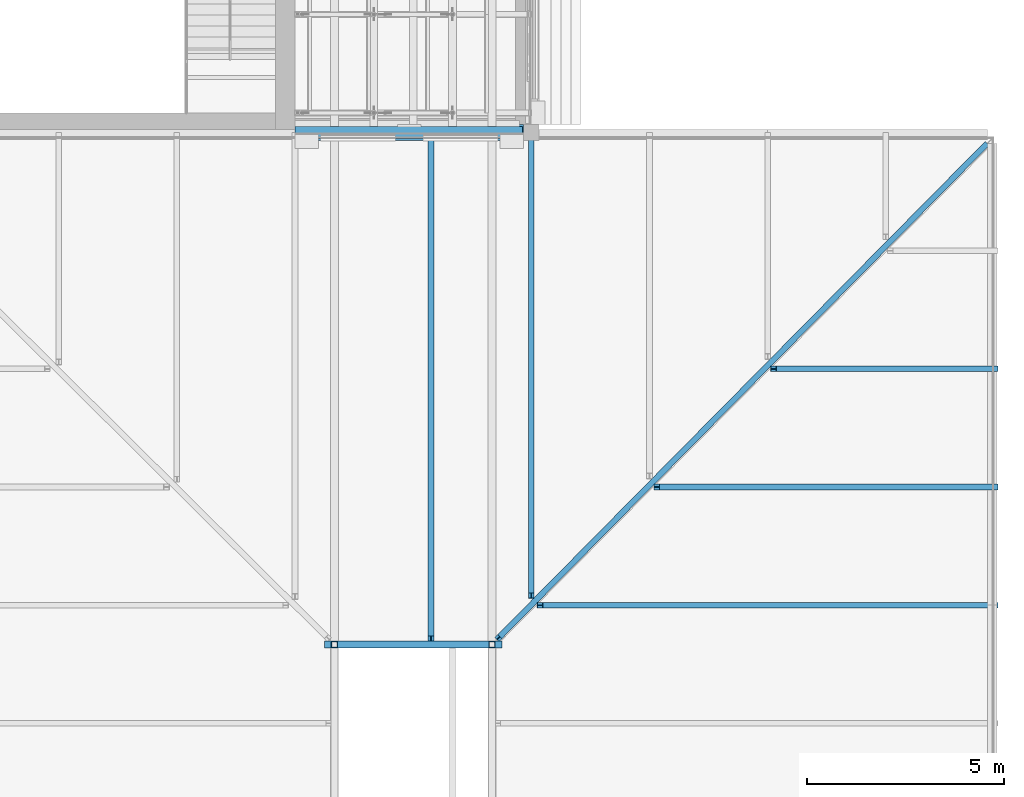
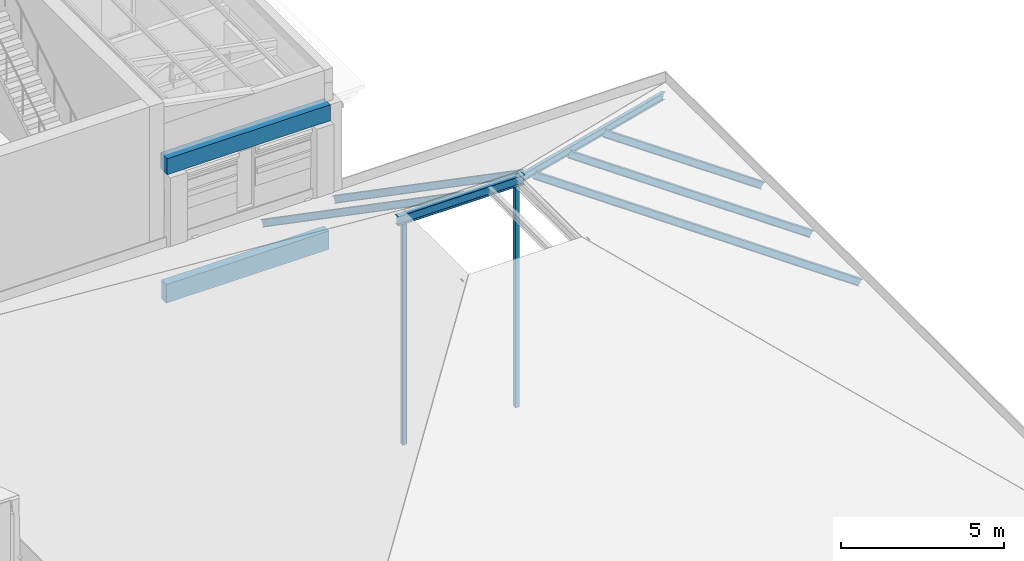
# One storey, part 23 of 118: 8 members, 3 beams.
"""IFC4 building model written with IfcOpenShell, lengths in metres."""

import ifcopenshell
import ifcopenshell.guid

model = None  # the IFC model being written
_history = None  # IfcOwnerHistory: only IFC2X3 demands one
_inside = {}  # id of a spatial element -> (the spatial element, [elements in it])
_under = {}  # id of a project, library or spatial element -> (it, [spatial elements below it])
_declared = {}  # id of a project -> (the project, [libraries it declares])
_typed = {}  # id of a type object -> (the type object, [elements of that type])
_made_of = {}  # id of a material, layer set ... -> (it, [elements and type objects made of it])


def new_model(schema):
    """Start an empty IFC model of exactly this schema.

    Asked for "IFC4X3", IfcOpenShell would pick the latest addendum, in which some entities
    have other attributes; the version numbers below select the first issue.
    IFC2X3 requires an IfcOwnerHistory on every rooted entity: one is made here for all.
    """
    global model, _history
    if schema == "IFC4X3":
        model = ifcopenshell.file(schema_version=(4, 3, 0, 0))
    else:
        model = ifcopenshell.file(schema=schema)
    _inside.clear()
    _under.clear()
    _declared.clear()
    _typed.clear()
    _made_of.clear()
    _history = None
    if model.schema == "IFC2X3":
        org = make("IfcOrganization", Name="unknown")
        user = make(
            "IfcPersonAndOrganization",
            ThePerson=make("IfcPerson", FamilyName="unknown"),
            TheOrganization=org,
        )
        app = make(
            "IfcApplication",
            ApplicationDeveloper=org,
            Version="unknown",
            ApplicationFullName="unknown",
            ApplicationIdentifier="unknown",
        )
        _history = make(
            "IfcOwnerHistory",
            OwningUser=user,
            OwningApplication=app,
            ChangeAction="ADDED",
            CreationDate=0,
        )
    return model


def make(cls, **values):
    """One entity of the class cls with the attributes given. An attribute that is None is left unset."""
    return model.create_entity(
        cls, **{name: value for name, value in values.items() if value is not None}
    )


def rooted(cls, **values):
    """An entity with a GlobalId (a new one), such as an element, a storey or a relation."""
    return make(cls, GlobalId=ifcopenshell.guid.new(), OwnerHistory=_history, **values)


def si_unit(unit_type, name, prefix=None):
    """IfcSIUnit, for example si_unit("LENGTHUNIT", "METRE", prefix="MILLI")."""
    return make("IfcSIUnit", UnitType=unit_type, Prefix=prefix, Name=name)


def assignment(units):
    """IfcUnitAssignment: the units of a project."""
    return None if units is None else make("IfcUnitAssignment", Units=units)


def point(xyz):
    """IfcCartesianPoint."""
    return None if xyz is None else make("IfcCartesianPoint", Coordinates=xyz)


def direction(xyz):
    """IfcDirection."""
    return None if xyz is None else make("IfcDirection", DirectionRatios=xyz)


def frame(location, z_axis=None, x_axis=None):
    """IfcAxis2Placement3D, a coordinate frame: its origin and axes. An axis left out is left unset."""
    return make(
        "IfcAxis2Placement3D",
        Location=point(location),
        Axis=direction(z_axis),
        RefDirection=direction(x_axis),
    )


def frame_2d(location, x_axis=None):
    """IfcAxis2Placement2D, a coordinate frame in the plane: its origin and x axis."""
    return make(
        "IfcAxis2Placement2D", Location=point(location), RefDirection=direction(x_axis)
    )


def origin():
    """The frame at (0, 0, 0) with its axes left unset."""
    return frame((0.0, 0.0, 0.0))


def origin_2d():
    """The frame at (0, 0) in the plane with its x axis left unset."""
    return frame_2d((0.0, 0.0))


def place(relative_to, where):
    """IfcLocalPlacement: puts the frame where relative to a parent placement (None: the world)."""
    return make(
        "IfcLocalPlacement", PlacementRelTo=relative_to, RelativePlacement=where
    )


def context(
    kind, dimensions, precision=None, world=None, true_north=None, identifier=None
):
    """IfcGeometricRepresentationContext, for example the 3D "Model" context."""
    return make(
        "IfcGeometricRepresentationContext",
        ContextIdentifier=identifier,
        ContextType=kind,
        CoordinateSpaceDimension=dimensions,
        Precision=precision,
        WorldCoordinateSystem=world,
        TrueNorth=true_north,
    )


def subcontext(parent, identifier, kind, view, scale=None):
    """IfcGeometricRepresentationSubContext, for example "Body" below "Model"."""
    return make(
        "IfcGeometricRepresentationSubContext",
        ContextIdentifier=identifier,
        ContextType=kind,
        ParentContext=parent,
        TargetScale=scale,
        TargetView=view,
    )


def project(units=None, contexts=None):
    """IfcProject with its units and contexts."""
    return rooted(
        "IfcProject",
        Name="project",
        RepresentationContexts=contexts,
        UnitsInContext=assignment(units),
    )


def spatial(cls, under=None, at=None, **own):
    """A site, building, storey or space (cls), placed at a placement, below another one or the project."""
    s = rooted(cls, ObjectPlacement=at, **own)
    if under is not None:
        _under.setdefault(under.id(), (under, []))[1].append(s)
    return s


def profile(cls, at=None, kind="AREA", **sizes):
    """A parametric profile (cls). Its sizes go by their IFC names, for example OverallWidth=200.0."""
    return make(cls, ProfileType=kind, Position=at, **sizes)


def rectangle(**sizes):
    """IfcRectangleProfileDef."""
    return profile("IfcRectangleProfileDef", **sizes)


def hollow_rectangle(**sizes):
    """IfcRectangleHollowProfileDef."""
    return profile("IfcRectangleHollowProfileDef", **sizes)


def i_section(**sizes):
    """IfcIShapeProfileDef."""
    return profile("IfcIShapeProfileDef", **sizes)


def extrude(swept, where, along, depth):
    """IfcExtrudedAreaSolid: the profile swept, set in the frame where, extruded along a direction by depth."""
    return make(
        "IfcExtrudedAreaSolid",
        SweptArea=swept,
        Position=where,
        ExtrudedDirection=direction(along),
        Depth=depth,
    )


def shape(context_of_items, identifier, shape_type, items):
    """IfcShapeRepresentation: the items that make up one representation, for example the "Body"."""
    return make(
        "IfcShapeRepresentation",
        ContextOfItems=context_of_items,
        RepresentationIdentifier=identifier,
        RepresentationType=shape_type,
        Items=items,
    )


def material(Name=None, Category=None):
    """IfcMaterial."""
    return make("IfcMaterial", Name=Name, Category=Category)


def material_profile(
    of_material, cross_section, Name=None, Category=None, Priority=None
):
    """IfcMaterialProfile: a cross section and its material."""
    return make(
        "IfcMaterialProfile",
        Name=Name,
        Material=of_material,
        Profile=cross_section,
        Priority=Priority,
        Category=Category,
    )


def profile_set(profiles, Name=None, composite=None):
    """IfcMaterialProfileSet."""
    return make(
        "IfcMaterialProfileSet",
        Name=Name,
        MaterialProfiles=profiles,
        CompositeProfile=composite,
    )


def made_of(thing, what):
    """Note that an element or type object is made of a material, layer set ...; save() writes the relation."""
    if what is not None:
        _made_of.setdefault(what.id(), (what, []))[1].append(thing)
    return thing


def type_object(cls, material=None, **own):
    """A type object (cls), such as IfcWallType, which elements share."""
    return made_of(rooted(cls, **own), material)


def element(
    cls,
    number,
    at=None,
    inside=None,
    cuts=None,
    type_object=None,
    material=None,
    context=None,
    identifier="Body",
    shape_type=None,
    held_by="IfcProductDefinitionShape",
    body=None,
    shapes=None,
    **own,
):
    """One element of the class cls, such as IfcWall. Its Tag is "e" and its number.

    at: its placement. inside: the storey or other place that contains it. cuts: it is an
    opening in that element (IfcRelVoidsElement). A single representation is given by context,
    identifier, shape_type and body (its items); several are given by shapes. held_by: the class
    of the entity that holds the representations. save() writes the other relations.
    """
    e = rooted(cls, Tag="e%d" % number, ObjectPlacement=at, **own)
    if body is not None:
        shapes = [shape(context, identifier, shape_type, body)]
    if shapes is not None:
        e.Representation = make(held_by, Representations=shapes)
    if inside is not None:
        _inside.setdefault(inside.id(), (inside, []))[1].append(e)
    if cuts is not None:
        rooted(
            "IfcRelVoidsElement", RelatingBuildingElement=cuts, RelatedOpeningElement=e
        )
    if type_object is not None:
        _typed.setdefault(type_object.id(), (type_object, []))[1].append(e)
    return made_of(e, material)


def aggregate(whole, parts):
    """IfcRelAggregates: a whole, such as a stair, and the parts it consists of."""
    return rooted("IfcRelAggregates", RelatingObject=whole, RelatedObjects=parts)


def save(model, path):
    """Write the relations noted so far, then the file.

    IfcRelAggregates (storeys below a building ...), IfcRelContainedInSpatialStructure (elements
    in a storey), IfcRelDefinesByType, IfcRelAssociatesMaterial and IfcRelDeclares: one each for
    every whole, place, type object, material and project.
    """
    for whole, parts in _under.values():
        aggregate(whole, parts)
    for where, things in _inside.values():
        rooted(
            "IfcRelContainedInSpatialStructure",
            RelatedElements=things,
            RelatingStructure=where,
        )
    for kind, things in _typed.values():
        rooted("IfcRelDefinesByType", RelatedObjects=things, RelatingType=kind)
    for what, things in _made_of.values():
        rooted("IfcRelAssociatesMaterial", RelatedObjects=things, RelatingMaterial=what)
    for by, libraries in _declared.values():
        rooted("IfcRelDeclares", RelatingContext=by, RelatedDefinitions=libraries)
    model.write(path)


model = new_model("IFC4")

# Units and contexts
model_context = context("Model", 3, precision=1e-05, world=origin(), true_north=direction((0.0, 1.0)))
body_context = subcontext(model_context, "Body", "Model", "MODEL_VIEW")
ifc_project = project(units=[si_unit("LENGTHUNIT", "METRE"), si_unit("AREAUNIT", "SQUARE_METRE"), si_unit("VOLUMEUNIT", "CUBIC_METRE"), si_unit("PLANEANGLEUNIT", "RADIAN"), si_unit("MASSUNIT", "GRAM", prefix="KILO")], contexts=[model_context])

# Site, building, storey
site_placement = place(None, origin())
site = spatial("IfcSite", under=ifc_project, at=site_placement, CompositionType="ELEMENT")
building_placement = place(site_placement, origin())
building = spatial("IfcBuilding", under=site, at=building_placement, Name="Saffron Lane Theatres", CompositionType="ELEMENT")
storey_placement = place(building_placement, frame((0.0, 0.0, 16.5)))
storey = spatial("IfcBuildingStorey", under=building, at=storey_placement, Name="L03", CompositionType="ELEMENT", Elevation=16.5)

# Beams
ifc_material_1 = material(Name="Concrete N40 (40 MPa)", Category="concrete")
ifc_material_profile_1 = material_profile(ifc_material_1, rectangle(XDim=0.300048828125, YDim=0.699951171875, at=origin_2d()))
ifc_profile_set_1 = profile_set([ifc_material_profile_1], Name="Concrete N40 (40 MPa)")
beam_type_1 = type_object("IfcBeamType", Name="RC-BEAM 300x700", PredefinedType="BEAM", material=ifc_profile_set_1)
beam_1_placement = place(storey_placement, frame((48.0, 30.0, -0.60009765625), z_axis=(1.0, 0.0, 0.0), x_axis=(0.0, 1.0, 0.0)))
element("IfcBeam", 1, at=beam_1_placement, inside=storey, type_object=beam_type_1, Name="beam-L03-x300-480", PredefinedType="BEAM", context=body_context, shape_type="SweptSolid", body=[
    extrude(rectangle(XDim=0.300048828125, YDim=0.699951171875, at=origin_2d()), origin(), (0.0, 0.0, 1.0), 5.77490234375),
])
ifc_material_2 = material(Name="Concrete N40 (40 MPa)", Category="concrete")
ifc_material_profile_2 = material_profile(ifc_material_2, rectangle(XDim=0.39990234375, YDim=0.60009765625, at=origin_2d()))
ifc_profile_set_2 = profile_set([ifc_material_profile_2], Name="Concrete N40 (40 MPa)")
beam_type_2 = type_object("IfcBeamType", Name="RC-BEAM 400x600", PredefinedType="BEAM", material=ifc_profile_set_2)
beam_2_placement = place(storey_placement, frame((48.0, 30.0, 4.199951171875), z_axis=(1.0, 0.0, 0.0), x_axis=(0.0, 1.0, 0.0)))
element("IfcBeam", 2, at=beam_2_placement, inside=storey, type_object=beam_type_2, Name="beam-roof-side-x300-14", PredefinedType="BEAM", context=body_context, shape_type="SweptSolid", body=[
    extrude(rectangle(XDim=0.39990234375, YDim=0.60009765625, at=origin_2d()), origin(), (0.0, 0.0, 1.0), 5.800048828125),
])
ifc_material_3 = material(Name="Steel Grade 350", Category="steel")
ifc_material_profile_3 = material_profile(ifc_material_3, i_section(OverallWidth=0.172119140625, OverallDepth=0.35888671875, WebThickness=0.008056640625, FlangeThickness=0.012939453125, FilletRadius=0.010986328125, at=origin_2d()))
ifc_profile_set_3 = profile_set([ifc_material_profile_3], Name="Steel Grade 350")
beam_type_3 = type_object("IfcBeamType", Name="ST-CROWN BEAM 360UB56.7", PredefinedType="BEAM", material=ifc_profile_set_3)
beam_3_placement = place(storey_placement, frame((48.75, 17.0, 9.695556640625), z_axis=(1.0, 0.0, 0.0), x_axis=(0.0, 1.0, 0.0)))
element("IfcBeam", 3, at=beam_3_placement, inside=storey, type_object=beam_type_3, Name="SC2", PredefinedType="BEAM", context=body_context, shape_type="SweptSolid", body=[
    extrude(i_section(OverallWidth=0.172119140625, OverallDepth=0.35888671875, WebThickness=0.008056640625, FlangeThickness=0.012939453125, FilletRadius=0.010986328125, at=origin_2d()), origin(), (0.0, 0.0, 1.0), 4.5),
])

# Members
ifc_material_4 = material(Name="Steel Grade 350", Category="steel")
ifc_material_profile_4 = material_profile(ifc_material_4, hollow_rectangle(XDim=0.14990234375, YDim=0.14990234375, WallThickness=0.009033203125, InnerFilletRadius=0.00439453125, OuterFilletRadius=0.013427734375, at=origin_2d()))
ifc_profile_set_4 = profile_set([ifc_material_profile_4], Name="Steel Grade 350")
member_type_1 = type_object("IfcMemberType", Name="ST-CROWN POST 150x150x9 SHS", PredefinedType="POST", material=ifc_profile_set_4)
for number, where, z_axis, x_axis, name in (
    (4, (49.0, 17.0, 1.23291015625), (0.0, 0.0, 1.0), (1.0, 0.0, 0.0), "SP1-17"),
    (5, (53.0, 17.0, 1.23291015625), (0.0, 0.0, 1.0), (1.0, 0.0, 0.0), "SP2-17"),
):
    element("IfcMember", number, at=place(storey_placement, frame(where, z_axis=z_axis, x_axis=x_axis)), inside=storey, type_object=member_type_1, Name=name, PredefinedType="POST", context=body_context, shape_type="SweptSolid", body=[
        extrude(hollow_rectangle(XDim=0.14990234375, YDim=0.14990234375, WallThickness=0.009033203125, InnerFilletRadius=0.00439453125, OuterFilletRadius=0.013427734375, at=origin_2d()), origin(), (0.0, 0.0, 1.0), 8.2880859375),
    ])
ifc_material_5 = material(Name="Steel Grade 350", Category="steel")
ifc_material_profile_5 = material_profile(ifc_material_5, i_section(OverallWidth=0.14599609375, OverallDepth=0.251953125, WebThickness=0.006103515625, FlangeThickness=0.008544921875, FilletRadius=0.011962890625, at=origin_2d()))
ifc_profile_set_5 = profile_set([ifc_material_profile_5], Name="Steel Grade 350")
member_type_2 = type_object("IfcMemberType", Name="ST-HIP RAFTER 250UB31.4", PredefinedType="RAFTER", material=ifc_profile_set_5)
member_1_placement = place(storey_placement, frame((65.535400390625, 29.685302734375, 0.81298828125), z_axis=(-0.629149725754, -0.636673301684, 0.445889817674), x_axis=(0.711296994148, -0.702891589163, 0.0)))
element("IfcMember", 6, at=member_1_placement, inside=storey, type_object=member_type_2, Name="SH4", PredefinedType="RAFTER", context=body_context, shape_type="SweptSolid", body=[
    extrude(i_section(OverallWidth=0.14599609375, OverallDepth=0.251953125, WebThickness=0.006103515625, FlangeThickness=0.008544921875, FilletRadius=0.011962890625, at=origin_2d()), origin(), (0.0, 0.0, 1.0), 19.664794921875),
])
ifc_material_6 = material(Name="Steel Grade 350", Category="steel")
ifc_material_profile_6 = material_profile(ifc_material_6, i_section(OverallWidth=0.14599609375, OverallDepth=0.251953125, WebThickness=0.006103515625, FlangeThickness=0.008544921875, FilletRadius=0.011962890625, at=origin_2d()))
ifc_profile_set_6 = profile_set([ifc_material_profile_6], Name="Steel Grade 350")
member_type_3 = type_object("IfcMemberType", Name="ST-JACK RAFTER 250UB31.4", PredefinedType="RAFTER", material=ifc_profile_set_6)
member_2_placement = place(storey_placement, frame((51.449951171875, 29.923095703125, 0.80419921875), z_axis=(0.0, -0.822951686628, 0.568111363622), x_axis=(1.0, 0.0, 0.0)))
element("IfcMember", 7, at=member_2_placement, inside=storey, type_object=member_type_3, Name="SK10", PredefinedType="RAFTER", context=body_context, shape_type="SweptSolid", body=[
    extrude(i_section(OverallWidth=0.14599609375, OverallDepth=0.251953125, WebThickness=0.006103515625, FlangeThickness=0.008544921875, FilletRadius=0.011962890625, at=origin_2d()), origin(), (0.0, 0.0, 1.0), 15.526611328125),
])
member_3_placement = place(storey_placement, frame((54.0, 29.923095703125, 0.80419921875), z_axis=(0.0, -0.822947648298, 0.5681172134), x_axis=(1.0, 0.0, 0.0)))
element("IfcMember", 8, at=member_3_placement, inside=storey, type_object=member_type_3, Name="SK12", PredefinedType="RAFTER", context=body_context, shape_type="SweptSolid", body=[
    extrude(i_section(OverallWidth=0.14599609375, OverallDepth=0.251953125, WebThickness=0.006103515625, FlangeThickness=0.008544921875, FilletRadius=0.011962890625, at=origin_2d()), origin(), (0.0, 0.0, 1.0), 14.191650390625),
])
member_4_placement = place(storey_placement, frame((65.772216796875, 18.0, 0.80322265625), z_axis=(-0.819815842553, 0.0, 0.572627264719), x_axis=(0.0, -1.0, 0.0)))
element("IfcMember", 9, at=member_4_placement, inside=storey, type_object=member_type_3, Name="SK30", PredefinedType="RAFTER", context=body_context, shape_type="SweptSolid", body=[
    extrude(i_section(OverallWidth=0.14599609375, OverallDepth=0.251953125, WebThickness=0.006103515625, FlangeThickness=0.008544921875, FilletRadius=0.011962890625, at=origin_2d()), origin(), (0.0, 0.0, 1.0), 14.093017578125),
])
member_5_placement = place(storey_placement, frame((65.772216796875, 21.0, 0.80322265625), z_axis=(-0.819822678646, 0.0, 0.572617477535), x_axis=(0.0, -1.0, 0.0)))
element("IfcMember", 10, at=member_5_placement, inside=storey, type_object=member_type_3, Name="SK32", PredefinedType="RAFTER", context=body_context, shape_type="SweptSolid", body=[
    extrude(i_section(OverallWidth=0.14599609375, OverallDepth=0.251953125, WebThickness=0.006103515625, FlangeThickness=0.008544921875, FilletRadius=0.011962890625, at=origin_2d()), origin(), (0.0, 0.0, 1.0), 10.4765625),
])
member_6_placement = place(storey_placement, frame((65.772216796875, 24.0, 0.80322265625), z_axis=(-0.819808345556, 0.0, 0.572637997829), x_axis=(0.0, -1.0, 0.0)))
element("IfcMember", 11, at=member_6_placement, inside=storey, type_object=member_type_3, Name="SK34", PredefinedType="RAFTER", context=body_context, shape_type="SweptSolid", body=[
    extrude(i_section(OverallWidth=0.14599609375, OverallDepth=0.251953125, WebThickness=0.006103515625, FlangeThickness=0.008544921875, FilletRadius=0.011962890625, at=origin_2d()), origin(), (0.0, 0.0, 1.0), 6.85986328125),
])

save(model, "model.ifc")
